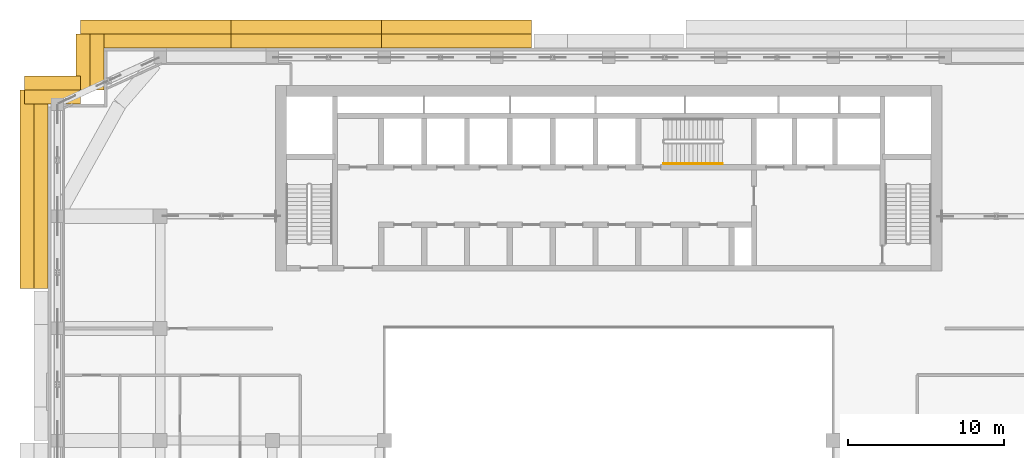
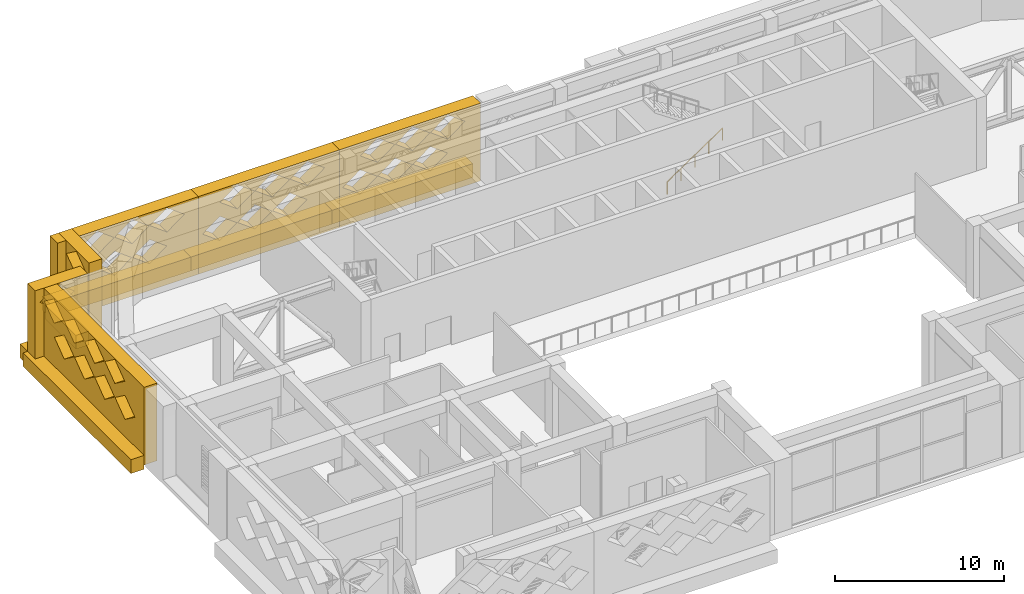
# One storey, part 18 of 20: 12 coverings, 1 railing.
"""IFC4 building model written with IfcOpenShell, lengths in metres."""

from ifc_helpers import new_model, si_unit, direction, frame, origin, origin_2d, place, context, subcontext, project, spatial, polyline, circle, outline, extrude, material, layer, layer_set, type_object, element, save


model = new_model("IFC4")

# Units and contexts
model_context = context("Model", 3, precision=1e-05, world=origin(), true_north=direction((0.0, 1.0)))
body_context = subcontext(model_context, "Body", "Model", "MODEL_VIEW")
ifc_project = project(units=[si_unit("LENGTHUNIT", "METRE"), si_unit("AREAUNIT", "SQUARE_METRE"), si_unit("VOLUMEUNIT", "CUBIC_METRE"), si_unit("PLANEANGLEUNIT", "RADIAN"), si_unit("MASSUNIT", "GRAM", prefix="KILO")], contexts=[model_context])

# Site, building, storey
site_placement = place(None, origin())
site = spatial("IfcSite", under=ifc_project, at=site_placement, CompositionType="ELEMENT")
building_placement = place(site_placement, origin())
building = spatial("IfcBuilding", under=site, at=building_placement, Name="Saffron Iwan Residences", CompositionType="ELEMENT")
storey_placement = place(building_placement, frame((0.0, 0.0, 206.0)))
storey = spatial("IfcBuildingStorey", under=building, at=storey_placement, Name="L55", CompositionType="ELEMENT", Elevation=206.0)

# Coverings
ifc_material_1 = material(Name="Precast concrete C40/50", Category="concrete")
covering_type_1 = type_object("IfcCoveringType", Name="OUTER SKIN LATTICE SCREEN", PredefinedType="CLADDING", material=ifc_material_1)
covering_1_placement = place(storey_placement, frame((45.449951171875, 80.39990234375, -0.39990234375), z_axis=(0.0, 1.0, 0.0), x_axis=(-1.0, 0.0, 0.0)))
element("IfcCovering", 1, at=covering_1_placement, inside=storey, type_object=covering_type_1, Name="OUTER SKIN lattice screen L55 F5.2", PredefinedType="CLADDING", context=body_context, shape_type="SweptSolid", body=[
    extrude(outline(polyline([(0.0, 0.0), (9.64990234375, 0.0), (9.64990234375, 5.6201171875), (0.0, 5.6201171875), (0.0, 0.0)]), holes=[polyline([(2.27001953125, 2.81005859375), (3.449951171875, 1.933349609375), (4.6298828125, 2.81005859375), (3.449951171875, 3.686767578125), (2.27001953125, 2.81005859375)]), polyline([(4.669921875, 2.81005859375), (5.85009765625, 1.933349609375), (7.030029296875, 2.81005859375), (5.85009765625, 3.686767578125), (4.669921875, 2.81005859375)]), polyline([(7.070068359375, 2.81005859375), (8.25, 1.933349609375), (9.429931640625, 2.81005859375), (8.25, 3.686767578125), (7.070068359375, 2.81005859375)]), polyline([(1.070068359375, 4.683349609375), (2.25, 3.806640625), (3.429931640625, 4.683349609375), (2.25, 5.56005859375), (1.070068359375, 4.683349609375)]), polyline([(3.469970703125, 4.683349609375), (4.64990234375, 3.806640625), (5.830078125, 4.683349609375), (4.64990234375, 5.56005859375), (3.469970703125, 4.683349609375)]), polyline([(5.8701171875, 4.683349609375), (7.050048828125, 3.806640625), (8.22998046875, 4.683349609375), (7.050048828125, 5.56005859375), (5.8701171875, 4.683349609375)])]), origin(), (0.0, 0.0, 1.0), 0.900146484375),
])
covering_2_placement = place(storey_placement, frame((35.800048828125, 80.39990234375, -0.39990234375), z_axis=(0.0, 1.0, 0.0), x_axis=(-1.0, 0.0, 0.0)))
element("IfcCovering", 2, at=covering_2_placement, inside=storey, type_object=covering_type_1, Name="OUTER SKIN lattice screen L55 F5.3", PredefinedType="CLADDING", context=body_context, shape_type="SweptSolid", body=[
    extrude(outline(polyline([(0.0, 0.0), (9.64990234375, 0.0), (9.64990234375, 5.6201171875), (0.0, 5.6201171875), (0.0, 0.0)]), holes=[polyline([(2.219970703125, 2.81005859375), (3.39990234375, 1.933349609375), (4.580078125, 2.81005859375), (3.39990234375, 3.686767578125), (2.219970703125, 2.81005859375)]), polyline([(4.6201171875, 2.81005859375), (5.800048828125, 1.933349609375), (6.97998046875, 2.81005859375), (5.800048828125, 3.686767578125), (4.6201171875, 2.81005859375)]), polyline([(7.02001953125, 2.81005859375), (8.199951171875, 1.933349609375), (9.3798828125, 2.81005859375), (8.199951171875, 3.686767578125), (7.02001953125, 2.81005859375)]), polyline([(1.02001953125, 4.683349609375), (2.199951171875, 3.806640625), (3.3798828125, 4.683349609375), (2.199951171875, 5.56005859375), (1.02001953125, 4.683349609375)]), polyline([(3.419921875, 4.683349609375), (4.60009765625, 3.806640625), (5.780029296875, 4.683349609375), (4.60009765625, 5.56005859375), (3.419921875, 4.683349609375)]), polyline([(5.820068359375, 4.683349609375), (7.0, 3.806640625), (8.179931640625, 4.683349609375), (7.0, 5.56005859375), (5.820068359375, 4.683349609375)])]), origin(), (0.0, 0.0, 1.0), 0.900146484375),
])
covering_3_placement = place(storey_placement, frame((26.14990234375, 80.39990234375, -0.39990234375), z_axis=(0.0, 1.0, 0.0), x_axis=(-1.0, 0.0, 0.0)))
element("IfcCovering", 3, at=covering_3_placement, inside=storey, type_object=covering_type_1, Name="OUTER SKIN lattice screen L55 F5.4", PredefinedType="CLADDING", context=body_context, shape_type="SweptSolid", body=[
    extrude(outline(polyline([(0.0, 0.0), (9.64990234375, 0.0), (9.64990234375, 5.6201171875), (0.0, 5.6201171875), (0.0, 0.0)]), holes=[polyline([(2.169921875, 2.81005859375), (3.35009765625, 1.933349609375), (4.530029296875, 2.81005859375), (3.35009765625, 3.686767578125), (2.169921875, 2.81005859375)]), polyline([(4.570068359375, 2.81005859375), (5.75, 1.933349609375), (6.929931640625, 2.81005859375), (5.75, 3.686767578125), (4.570068359375, 2.81005859375)]), polyline([(6.969970703125, 2.81005859375), (8.14990234375, 1.933349609375), (9.330078125, 2.81005859375), (8.14990234375, 3.686767578125), (6.969970703125, 2.81005859375)]), polyline([(0.969970703125, 4.683349609375), (2.14990234375, 3.806640625), (3.330078125, 4.683349609375), (2.14990234375, 5.56005859375), (0.969970703125, 4.683349609375)]), polyline([(3.3701171875, 4.683349609375), (4.550048828125, 3.806640625), (5.72998046875, 4.683349609375), (4.550048828125, 5.56005859375), (3.3701171875, 4.683349609375)]), polyline([(5.77001953125, 4.683349609375), (6.949951171875, 3.806640625), (8.1298828125, 4.683349609375), (6.949951171875, 5.56005859375), (5.77001953125, 4.683349609375)])]), origin(), (0.0, 0.0, 1.0), 0.900146484375),
])
for number, where, z_axis, x_axis, name in (
    (4, (18.0, 81.300048828125, -0.39990234375), (-1.0, 0.0, 0.0), (0.0, -1.0, 0.0), "OUTER SKIN lattice screen L55 F6.0"),
    (5, (16.5, 76.800048828125, -0.39990234375), (0.0, 1.0, 0.0), (-1.0, 0.0, 0.0), "OUTER SKIN lattice screen L55 F7.0"),
):
    element("IfcCovering", number, at=place(storey_placement, frame(where, z_axis=z_axis, x_axis=x_axis)), inside=storey, type_object=covering_type_1, Name=name, PredefinedType="CLADDING", context=body_context, shape_type="SweptSolid", body=[
        extrude(outline(polyline([(0.0, 0.0), (3.60009765625, 0.0), (3.60009765625, 5.6201171875), (0.0, 5.6201171875), (0.0, 0.0)]), holes=[polyline([(0.919921875, 4.683349609375), (2.10009765625, 3.806640625), (3.280029296875, 4.683349609375), (2.10009765625, 5.56005859375), (0.919921875, 4.683349609375)])]), origin(), (0.0, 0.0, 1.0), 0.89990234375),
    ])
covering_4_placement = place(storey_placement, frame((14.39990234375, 77.699951171875, -0.39990234375), z_axis=(-1.0, 0.0, 0.0), x_axis=(0.0, -1.0, 0.0)))
element("IfcCovering", 6, at=covering_4_placement, inside=storey, type_object=covering_type_1, Name="OUTER SKIN lattice screen L55 F8.0", PredefinedType="CLADDING", context=body_context, shape_type="SweptSolid", body=[
    extrude(outline(polyline([(0.0, 0.0), (12.75, 0.0), (12.75, 5.6201171875), (0.0, 5.6201171875), (0.0, 0.0)]), holes=[polyline([(2.1201171875, 2.81005859375), (3.300048828125, 1.933349609375), (4.47998046875, 2.81005859375), (3.300048828125, 3.686767578125), (2.1201171875, 2.81005859375)]), polyline([(4.52001953125, 2.81005859375), (5.699951171875, 1.933349609375), (6.8798828125, 2.81005859375), (5.699951171875, 3.686767578125), (4.52001953125, 2.81005859375)]), polyline([(6.919921875, 2.81005859375), (8.10009765625, 1.933349609375), (9.280029296875, 2.81005859375), (8.10009765625, 3.686767578125), (6.919921875, 2.81005859375)]), polyline([(9.320068359375, 2.81005859375), (10.5, 1.933349609375), (11.679931640625, 2.81005859375), (10.5, 3.686767578125), (9.320068359375, 2.81005859375)]), polyline([(0.919921875, 4.683349609375), (2.10009765625, 3.806640625), (3.280029296875, 4.683349609375), (2.10009765625, 5.56005859375), (0.919921875, 4.683349609375)]), polyline([(3.320068359375, 4.683349609375), (4.5, 3.806640625), (5.679931640625, 4.683349609375), (4.5, 5.56005859375), (3.320068359375, 4.683349609375)]), polyline([(5.719970703125, 4.683349609375), (6.89990234375, 3.806640625), (8.080078125, 4.683349609375), (6.89990234375, 5.56005859375), (5.719970703125, 4.683349609375)]), polyline([(8.1201171875, 4.683349609375), (9.300048828125, 3.806640625), (10.47998046875, 4.683349609375), (9.300048828125, 5.56005859375), (8.1201171875, 4.683349609375)])]), origin(), (0.0, 0.0, 1.0), 0.89990234375),
])

# Railing
ifc_material_2 = material(Name="Stainless steel 316", Category="steel")
railing_type = type_object("IfcRailingType", Name="Stair handrail 900", PredefinedType="HANDRAIL", material=ifc_material_2)
railing_placement = place(storey_placement, frame((53.925048828125, 72.97509765625, 0.183349609375)))
element("IfcRailing", 7, at=railing_placement, inside=storey, type_object=railing_type, Name="L55 ST-C stair handrail 1", PredefinedType="HANDRAIL", context=body_context, shape_type="SweptSolid", body=[
    extrude(circle(Radius=0.02392578125, at=origin_2d()), frame((0.0, 0.0, 0.8759765625), z_axis=(0.827309931321, 0.0, 0.561745741005), x_axis=(0.0, 1.0, 0.0)), (0.0, 0.0, 1.0), 4.569091796875),
    extrude(circle(Radius=0.02099609375, at=origin_2d()), origin(), (0.0, 0.0, 1.0), 0.851806640625),
    extrude(circle(Radius=0.02099609375, at=origin_2d()), frame((0.945068359375, 0.0, 0.6416015625)), (0.0, 0.0, 1.0), 0.851806640625),
    extrude(circle(Radius=0.02099609375, at=origin_2d()), frame((1.89013671875, 0.0, 1.283203125)), (0.0, 0.0, 1.0), 0.851806640625),
    extrude(circle(Radius=0.02099609375, at=origin_2d()), frame((2.8349609375, 0.0, 1.925048828125)), (0.0, 0.0, 1.0), 0.851806640625),
    extrude(circle(Radius=0.02099609375, at=origin_2d()), frame((3.780029296875, 0.0, 2.566650390625)), (0.0, 0.0, 1.0), 0.851806640625),
])

# Coverings
ifc_material_3 = material(Name="Precast concrete C40/50 white painted", Category="concrete")
ifc_layer = layer(ifc_material_3, 0.89990234375)
ifc_layer_set = layer_set([ifc_layer], Name="Precast concrete C40/50 white painted")
covering_type_2 = type_object("IfcCoveringType", Name="WHITE EDGE BAND 900 x 1000", PredefinedType="CLADDING", material=ifc_layer_set)
covering_5_placement = place(storey_placement, frame((0.0, 0.0, -0.699951171875)))
element("IfcCovering", 8, at=covering_5_placement, inside=storey, type_object=covering_type_2, Name="White edge band L55 F5.2", PredefinedType="CLADDING", context=body_context, shape_type="SweptSolid", body=[
    extrude(outline(polyline([(45.449951171875, 82.199951171875), (35.800048828125, 82.199951171875), (35.800048828125, 81.300048828125), (45.449951171875, 81.300048828125), (45.449951171875, 82.199951171875)])), origin(), (0.0, 0.0, 1.0), 1.0),
])
covering_6_placement = place(storey_placement, frame((0.0, 0.0, -0.699951171875)))
element("IfcCovering", 9, at=covering_6_placement, inside=storey, type_object=covering_type_2, Name="White edge band L55 F5.3", PredefinedType="CLADDING", context=body_context, shape_type="SweptSolid", body=[
    extrude(outline(polyline([(35.800048828125, 82.199951171875), (26.14990234375, 82.199951171875), (26.14990234375, 81.300048828125), (35.800048828125, 81.300048828125), (35.800048828125, 82.199951171875)])), origin(), (0.0, 0.0, 1.0), 1.0),
])
covering_7_placement = place(storey_placement, frame((0.0, 0.0, -0.699951171875)))
element("IfcCovering", 10, at=covering_7_placement, inside=storey, type_object=covering_type_2, Name="White edge band L55 F5.4", PredefinedType="CLADDING", context=body_context, shape_type="SweptSolid", body=[
    extrude(outline(polyline([(26.14990234375, 82.199951171875), (16.5, 82.199951171875), (16.5, 81.300048828125), (26.14990234375, 81.300048828125), (26.14990234375, 82.199951171875)])), origin(), (0.0, 0.0, 1.0), 1.0),
])
covering_8_placement = place(storey_placement, frame((0.0, 0.0, -0.699951171875)))
element("IfcCovering", 11, at=covering_8_placement, inside=storey, type_object=covering_type_2, Name="White edge band L55 F6.0", PredefinedType="CLADDING", context=body_context, shape_type="SweptSolid", body=[
    extrude(outline(polyline([(16.199951171875, 81.300048828125), (16.199951171875, 77.699951171875), (17.10009765625, 77.699951171875), (17.10009765625, 81.300048828125), (16.199951171875, 81.300048828125)])), origin(), (0.0, 0.0, 1.0), 1.0),
])
covering_9_placement = place(storey_placement, frame((0.0, 0.0, -0.699951171875)))
element("IfcCovering", 12, at=covering_9_placement, inside=storey, type_object=covering_type_2, Name="White edge band L55 F7.0", PredefinedType="CLADDING", context=body_context, shape_type="SweptSolid", body=[
    extrude(outline(polyline([(16.5, 78.60009765625), (12.89990234375, 78.60009765625), (12.89990234375, 77.699951171875), (16.5, 77.699951171875), (16.5, 78.60009765625)])), origin(), (0.0, 0.0, 1.0), 1.0),
])
covering_10_placement = place(storey_placement, frame((0.0, 0.0, -0.699951171875)))
element("IfcCovering", 13, at=covering_10_placement, inside=storey, type_object=covering_type_2, Name="White edge band L55 F8.0", PredefinedType="CLADDING", context=body_context, shape_type="SweptSolid", body=[
    extrude(outline(polyline([(12.60009765625, 77.699951171875), (12.60009765625, 64.949951171875), (13.5, 64.949951171875), (13.5, 77.699951171875), (12.60009765625, 77.699951171875)])), origin(), (0.0, 0.0, 1.0), 1.0),
])

save(model, "model.ifc")
